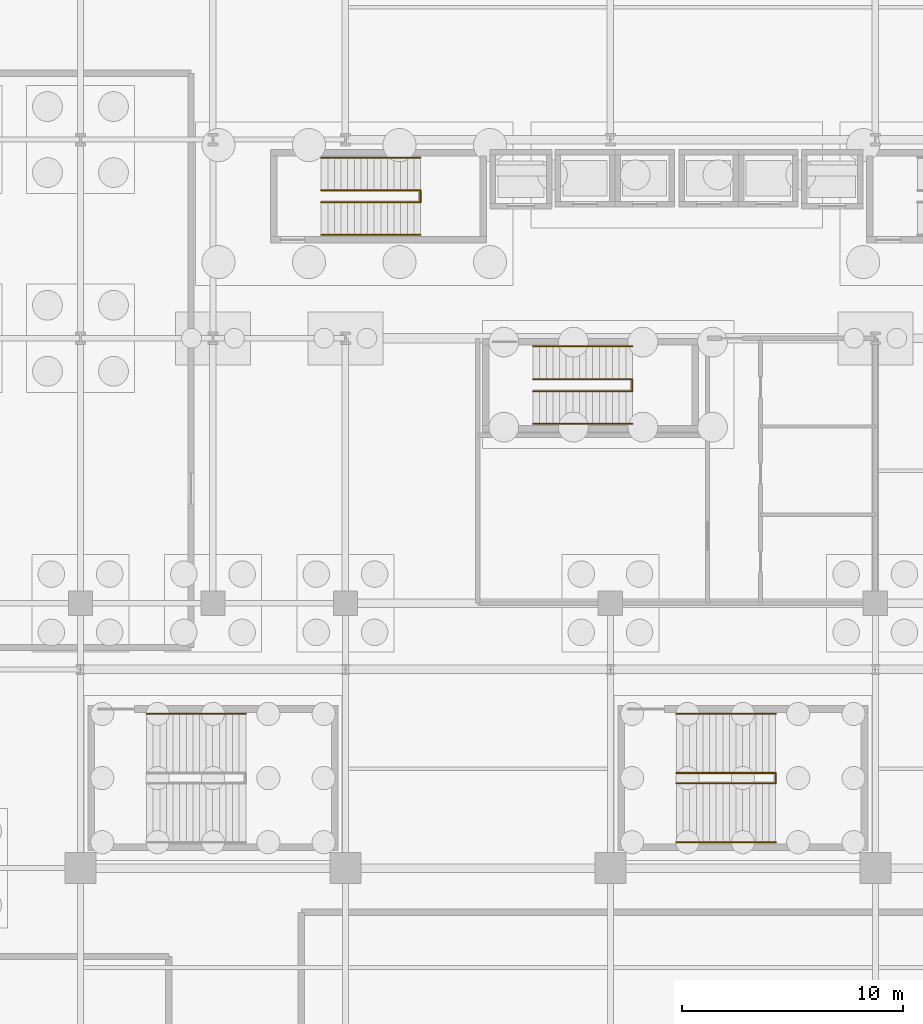
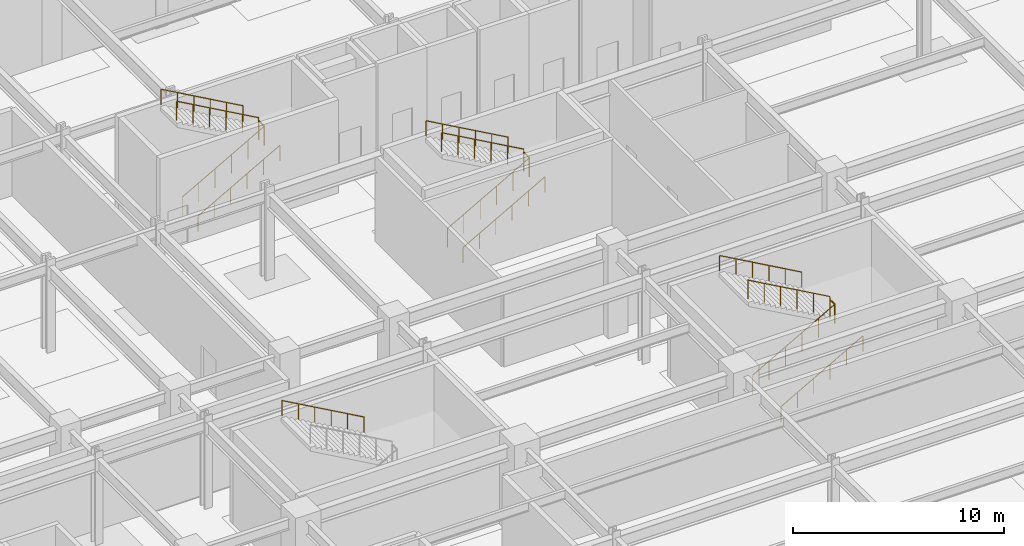
# One storey, part 42 of 47: 16 railings.
"""IFC4 building model written with IfcOpenShell, lengths in metres."""

from ifc_helpers import new_model, si_unit, direction, frame, origin, origin_2d, place, context, subcontext, project, spatial, circle, extrude, material, type_object, element, save


model = new_model("IFC4")

# Units and contexts
model_context = context("Model", 3, precision=1e-05, world=origin(), true_north=direction((0.0, 1.0)))
body_context = subcontext(model_context, "Body", "Model", "MODEL_VIEW")
ifc_project = project(units=[si_unit("LENGTHUNIT", "METRE"), si_unit("AREAUNIT", "SQUARE_METRE"), si_unit("VOLUMEUNIT", "CUBIC_METRE"), si_unit("PLANEANGLEUNIT", "RADIAN"), si_unit("MASSUNIT", "GRAM", prefix="KILO")], contexts=[model_context])

# Site, building, storey
site_placement = place(None, origin())
site = spatial("IfcSite", under=ifc_project, at=site_placement, CompositionType="ELEMENT")
building_placement = place(site_placement, origin())
building = spatial("IfcBuilding", under=site, at=building_placement, Name="Kaldorvane Square Convention Centre", CompositionType="ELEMENT")
storey_placement = place(building_placement, frame((0.0, 0.0, -5.399993896484375)))
storey = spatial("IfcBuildingStorey", under=building, at=storey_placement, Name="B01", CompositionType="ELEMENT", Elevation=-5.399993896484375)

# Railings
ifc_material = material(Name="Architectural Painted Steel", Category="steel")
railing_type_1 = type_object("IfcRailingType", Name="RL-GUARD-1120", PredefinedType="BALUSTRADE", material=ifc_material)
railing_1_placement = place(storey_placement, frame((45.399993896484375, 102.16999816894531, 2.6999969482421875)))
element("IfcRailing", 1, at=railing_1_placement, inside=storey, type_object=railing_type_1, Name="Tower Exit Stair T1 Half-Landing Guard (B01)", PredefinedType="BALUSTRADE", context=body_context, shape_type="SweptSolid", body=[
    extrude(circle(Radius=0.0240020751953125, at=origin_2d()), frame((0.0, 0.0, 1.0959930419921875), z_axis=(0.0, 1.0, 0.0), x_axis=(-1.0, 0.0, 0.0)), (0.0, 0.0, 1.0), 0.5200042724609375),
    extrude(circle(Radius=0.02099609375, at=origin_2d()), origin(), (0.0, 0.0, 1.0), 1.071990966796875),
    extrude(circle(Radius=0.02099609375, at=origin_2d()), frame((0.0, 0.5200042724609375, 0.0)), (0.0, 0.0, 1.0), 1.071990966796875),
])
railing_2_placement = place(storey_placement, frame((40.899993896484375, 102.16000366210938, 0.1687469482421875)))
element("IfcRailing", 2, at=railing_2_placement, inside=storey, type_object=railing_type_1, Name="Tower Exit Stair T1 Flight 1 Guard (B01)", PredefinedType="BALUSTRADE", context=body_context, shape_type="SweptSolid", body=[
    extrude(circle(Radius=0.0240020751953125, at=origin_2d()), frame((0.0, 0.0, 1.0959930419921875), z_axis=(0.871575537125, 0.0, 0.490261239633), x_axis=(0.0, 1.0, 0.0)), (0.0, 0.0, 1.0), 5.1630706787109375),
    extrude(circle(Radius=0.02099609375, at=origin_2d()), origin(), (0.0, 0.0, 1.0), 1.071990966796875),
    extrude(circle(Radius=0.02099609375, at=origin_2d()), frame((0.899993896484375, 0.0, 0.506256103515625)), (0.0, 0.0, 1.0), 1.071990966796875),
    extrude(circle(Radius=0.02099609375, at=origin_2d()), frame((1.8000030517578125, 0.0, 1.0124969482421875)), (0.0, 0.0, 1.0), 1.071990966796875),
    extrude(circle(Radius=0.02099609375, at=origin_2d()), frame((2.6999969482421875, 0.0, 1.5187530517578125)), (0.0, 0.0, 1.0), 1.071990966796875),
    extrude(circle(Radius=0.02099609375, at=origin_2d()), frame((3.600006103515625, 0.0, 2.024993896484375)), (0.0, 0.0, 1.0), 1.071990966796875),
    extrude(circle(Radius=0.02099609375, at=origin_2d()), frame((4.5, 0.0, 2.53125)), (0.0, 0.0, 1.0), 1.071990966796875),
])
railing_3_placement = place(storey_placement, frame((45.399993896484375, 102.69999694824219, 2.868743896484375)))
element("IfcRailing", 3, at=railing_3_placement, inside=storey, type_object=railing_type_1, Name="Tower Exit Stair T1 Flight 2 Guard (B01)", PredefinedType="BALUSTRADE", context=body_context, shape_type="SweptSolid", body=[
    extrude(circle(Radius=0.0240020751953125, at=origin_2d()), frame((0.0, 0.0, 1.0959930419921875), z_axis=(-0.871575537125, 0.0, 0.490261239633), x_axis=(0.0, -1.0, 0.0)), (0.0, 0.0, 1.0), 5.1630706787109375),
    extrude(circle(Radius=0.02099609375, at=origin_2d()), origin(), (0.0, 0.0, 1.0), 1.071990966796875),
    extrude(circle(Radius=0.02099609375, at=origin_2d()), frame((-0.899993896484375, 0.0, 0.506256103515625)), (0.0, 0.0, 1.0), 1.071990966796875),
    extrude(circle(Radius=0.02099609375, at=origin_2d()), frame((-1.8000030517578125, 0.0, 1.0124969482421875)), (0.0, 0.0, 1.0), 1.071990966796875),
    extrude(circle(Radius=0.02099609375, at=origin_2d()), frame((-2.6999969482421875, 0.0, 1.5187530517578125)), (0.0, 0.0, 1.0), 1.071990966796875),
    extrude(circle(Radius=0.02099609375, at=origin_2d()), frame((-3.600006103515625, 0.0, 2.024993896484375)), (0.0, 0.0, 1.0), 1.071990966796875),
    extrude(circle(Radius=0.02099609375, at=origin_2d()), frame((-4.5, 0.0, 2.53125)), (0.0, 0.0, 1.0), 1.071990966796875),
])
railing_4_placement = place(storey_placement, frame((55.0, 93.6199951171875, 2.6999969482421875)))
element("IfcRailing", 4, at=railing_4_placement, inside=storey, type_object=railing_type_1, Name="Tower Exit Stair T3 Half-Landing Guard (B01)", PredefinedType="BALUSTRADE", context=body_context, shape_type="SweptSolid", body=[
    extrude(circle(Radius=0.0240020751953125, at=origin_2d()), frame((0.0, 0.0, 1.0959930419921875), z_axis=(0.0, 1.0, 0.0), x_axis=(-1.0, 0.0, 0.0)), (0.0, 0.0, 1.0), 0.5200042724609375),
    extrude(circle(Radius=0.02099609375, at=origin_2d()), origin(), (0.0, 0.0, 1.0), 1.071990966796875),
    extrude(circle(Radius=0.02099609375, at=origin_2d()), frame((0.0, 0.5200042724609375, 0.0)), (0.0, 0.0, 1.0), 1.071990966796875),
])
railing_5_placement = place(storey_placement, frame((50.5, 93.61000061035156, 0.1687469482421875)))
element("IfcRailing", 5, at=railing_5_placement, inside=storey, type_object=railing_type_1, Name="Tower Exit Stair T3 Flight 1 Guard (B01)", PredefinedType="BALUSTRADE", context=body_context, shape_type="SweptSolid", body=[
    extrude(circle(Radius=0.0240020751953125, at=origin_2d()), frame((0.0, 0.0, 1.0959930419921875), z_axis=(0.871575537125, 0.0, 0.490261239633), x_axis=(0.0, 1.0, 0.0)), (0.0, 0.0, 1.0), 5.1630706787109375),
    extrude(circle(Radius=0.02099609375, at=origin_2d()), origin(), (0.0, 0.0, 1.0), 1.071990966796875),
    extrude(circle(Radius=0.02099609375, at=origin_2d()), frame((0.899993896484375, 0.0, 0.506256103515625)), (0.0, 0.0, 1.0), 1.071990966796875),
    extrude(circle(Radius=0.02099609375, at=origin_2d()), frame((1.8000030517578125, 0.0, 1.0124969482421875)), (0.0, 0.0, 1.0), 1.071990966796875),
    extrude(circle(Radius=0.02099609375, at=origin_2d()), frame((2.6999969482421875, 0.0, 1.5187530517578125)), (0.0, 0.0, 1.0), 1.071990966796875),
    extrude(circle(Radius=0.02099609375, at=origin_2d()), frame((3.600006103515625, 0.0, 2.024993896484375)), (0.0, 0.0, 1.0), 1.071990966796875),
    extrude(circle(Radius=0.02099609375, at=origin_2d()), frame((4.5, 0.0, 2.53125)), (0.0, 0.0, 1.0), 1.071990966796875),
])
railing_6_placement = place(storey_placement, frame((55.0, 94.14999389648438, 2.868743896484375)))
element("IfcRailing", 6, at=railing_6_placement, inside=storey, type_object=railing_type_1, Name="Tower Exit Stair T3 Flight 2 Guard (B01)", PredefinedType="BALUSTRADE", context=body_context, shape_type="SweptSolid", body=[
    extrude(circle(Radius=0.0240020751953125, at=origin_2d()), frame((0.0, 0.0, 1.0959930419921875), z_axis=(-0.871575537125, 0.0, 0.490261239633), x_axis=(0.0, -1.0, 0.0)), (0.0, 0.0, 1.0), 5.1630706787109375),
    extrude(circle(Radius=0.02099609375, at=origin_2d()), origin(), (0.0, 0.0, 1.0), 1.071990966796875),
    extrude(circle(Radius=0.02099609375, at=origin_2d()), frame((-0.899993896484375, 0.0, 0.506256103515625)), (0.0, 0.0, 1.0), 1.071990966796875),
    extrude(circle(Radius=0.02099609375, at=origin_2d()), frame((-1.8000030517578125, 0.0, 1.0124969482421875)), (0.0, 0.0, 1.0), 1.071990966796875),
    extrude(circle(Radius=0.02099609375, at=origin_2d()), frame((-2.6999969482421875, 0.0, 1.5187530517578125)), (0.0, 0.0, 1.0), 1.071990966796875),
    extrude(circle(Radius=0.02099609375, at=origin_2d()), frame((-3.600006103515625, 0.0, 2.024993896484375)), (0.0, 0.0, 1.0), 1.071990966796875),
    extrude(circle(Radius=0.02099609375, at=origin_2d()), frame((-4.5, 0.0, 2.53125)), (0.0, 0.0, 1.0), 1.071990966796875),
])
railing_7_placement = place(storey_placement, frame((61.49000549316406, 75.86000061035156, 2.6999969482421875)))
element("IfcRailing", 7, at=railing_7_placement, inside=storey, type_object=railing_type_1, Name="Convention Exit Stair C14 Half-Landing Guard (B01)", PredefinedType="BALUSTRADE", context=body_context, shape_type="SweptSolid", body=[
    extrude(circle(Radius=0.0240020751953125, at=origin_2d()), frame((0.0, 0.0, 1.0959930419921875), z_axis=(0.0, 1.0, 0.0), x_axis=(-1.0, 0.0, 0.0)), (0.0, 0.0, 1.0), 0.44000244140625),
    extrude(circle(Radius=0.02099609375, at=origin_2d()), origin(), (0.0, 0.0, 1.0), 1.071990966796875),
    extrude(circle(Radius=0.02099609375, at=origin_2d()), frame((0.0, 0.44000244140625, 0.0)), (0.0, 0.0, 1.0), 1.071990966796875),
])
railing_8_placement = place(storey_placement, frame((56.99000549316406, 75.85000610351562, 0.1687469482421875)))
element("IfcRailing", 8, at=railing_8_placement, inside=storey, type_object=railing_type_1, Name="Convention Exit Stair C14 Flight 1 Guard (B01)", PredefinedType="BALUSTRADE", context=body_context, shape_type="SweptSolid", body=[
    extrude(circle(Radius=0.0240020751953125, at=origin_2d()), frame((0.0, 0.0, 1.0959930419921875), z_axis=(0.871575537125, 0.0, 0.490261239633), x_axis=(0.0, 1.0, 0.0)), (0.0, 0.0, 1.0), 5.1630706787109375),
    extrude(circle(Radius=0.02099609375, at=origin_2d()), origin(), (0.0, 0.0, 1.0), 1.071990966796875),
    extrude(circle(Radius=0.02099609375, at=origin_2d()), frame((0.899993896484375, 0.0, 0.506256103515625)), (0.0, 0.0, 1.0), 1.071990966796875),
    extrude(circle(Radius=0.02099609375, at=origin_2d()), frame((1.8000030517578125, 0.0, 1.0124969482421875)), (0.0, 0.0, 1.0), 1.071990966796875),
    extrude(circle(Radius=0.02099609375, at=origin_2d()), frame((2.6999969482421875, 0.0, 1.5187530517578125)), (0.0, 0.0, 1.0), 1.071990966796875),
    extrude(circle(Radius=0.02099609375, at=origin_2d()), frame((3.600006103515625, 0.0, 2.024993896484375)), (0.0, 0.0, 1.0), 1.071990966796875),
    extrude(circle(Radius=0.02099609375, at=origin_2d()), frame((4.5, 0.0, 2.53125)), (0.0, 0.0, 1.0), 1.071990966796875),
])
railing_9_placement = place(storey_placement, frame((61.49000549316406, 76.30999755859375, 2.868743896484375)))
element("IfcRailing", 9, at=railing_9_placement, inside=storey, type_object=railing_type_1, Name="Convention Exit Stair C14 Flight 2 Guard (B01)", PredefinedType="BALUSTRADE", context=body_context, shape_type="SweptSolid", body=[
    extrude(circle(Radius=0.0240020751953125, at=origin_2d()), frame((0.0, 0.0, 1.0959930419921875), z_axis=(-0.871575537125, 0.0, 0.490261239633), x_axis=(0.0, -1.0, 0.0)), (0.0, 0.0, 1.0), 5.1630706787109375),
    extrude(circle(Radius=0.02099609375, at=origin_2d()), origin(), (0.0, 0.0, 1.0), 1.071990966796875),
    extrude(circle(Radius=0.02099609375, at=origin_2d()), frame((-0.899993896484375, 0.0, 0.506256103515625)), (0.0, 0.0, 1.0), 1.071990966796875),
    extrude(circle(Radius=0.02099609375, at=origin_2d()), frame((-1.8000030517578125, 0.0, 1.0124969482421875)), (0.0, 0.0, 1.0), 1.071990966796875),
    extrude(circle(Radius=0.02099609375, at=origin_2d()), frame((-2.6999969482421875, 0.0, 1.5187530517578125)), (0.0, 0.0, 1.0), 1.071990966796875),
    extrude(circle(Radius=0.02099609375, at=origin_2d()), frame((-3.600006103515625, 0.0, 2.024993896484375)), (0.0, 0.0, 1.0), 1.071990966796875),
    extrude(circle(Radius=0.02099609375, at=origin_2d()), frame((-4.5, 0.0, 2.53125)), (0.0, 0.0, 1.0), 1.071990966796875),
])
railing_type_2 = type_object("IfcRailingType", Name="RL-HAND-915", PredefinedType="HANDRAIL", material=ifc_material)
railing_10_placement = place(storey_placement, frame((40.899993896484375, 100.67999267578125, 0.1687469482421875)))
element("IfcRailing", 10, at=railing_10_placement, inside=storey, type_object=railing_type_2, Name="Tower Exit Stair T1 Wall Handrail 1 (B01)", PredefinedType="HANDRAIL", context=body_context, shape_type="SweptSolid", body=[
    extrude(circle(Radius=0.0240020751953125, at=origin_2d()), frame((0.0, 0.0, 0.8909912109375), z_axis=(0.871575537125, 0.0, 0.490261239633), x_axis=(0.0, 1.0, 0.0)), (0.0, 0.0, 1.0), 5.1630706787109375),
    extrude(circle(Radius=0.02099609375, at=origin_2d()), origin(), (0.0, 0.0, 1.0), 0.8669891357421875),
    extrude(circle(Radius=0.02099609375, at=origin_2d()), frame((0.899993896484375, 0.0, 0.506256103515625)), (0.0, 0.0, 1.0), 0.8669891357421875),
    extrude(circle(Radius=0.02099609375, at=origin_2d()), frame((1.8000030517578125, 0.0, 1.0124969482421875)), (0.0, 0.0, 1.0), 0.8669891357421875),
    extrude(circle(Radius=0.02099609375, at=origin_2d()), frame((2.6999969482421875, 0.0, 1.5187530517578125)), (0.0, 0.0, 1.0), 0.8669891357421875),
    extrude(circle(Radius=0.02099609375, at=origin_2d()), frame((3.600006103515625, 0.0, 2.024993896484375)), (0.0, 0.0, 1.0), 0.8669891357421875),
    extrude(circle(Radius=0.02099609375, at=origin_2d()), frame((4.5, 0.0, 2.53125)), (0.0, 0.0, 1.0), 0.8669891357421875),
])
railing_11_placement = place(storey_placement, frame((45.399993896484375, 104.17999267578125, 2.868743896484375)))
element("IfcRailing", 11, at=railing_11_placement, inside=storey, type_object=railing_type_2, Name="Tower Exit Stair T1 Wall Handrail 2 (B01)", PredefinedType="HANDRAIL", context=body_context, shape_type="SweptSolid", body=[
    extrude(circle(Radius=0.0240020751953125, at=origin_2d()), frame((0.0, 0.0, 0.8909912109375), z_axis=(-0.871575537125, 0.0, 0.490261239633), x_axis=(0.0, -1.0, 0.0)), (0.0, 0.0, 1.0), 5.1630706787109375),
    extrude(circle(Radius=0.02099609375, at=origin_2d()), origin(), (0.0, 0.0, 1.0), 0.8669891357421875),
    extrude(circle(Radius=0.02099609375, at=origin_2d()), frame((-0.899993896484375, 0.0, 0.506256103515625)), (0.0, 0.0, 1.0), 0.8669891357421875),
    extrude(circle(Radius=0.02099609375, at=origin_2d()), frame((-1.8000030517578125, 0.0, 1.0124969482421875)), (0.0, 0.0, 1.0), 0.8669891357421875),
    extrude(circle(Radius=0.02099609375, at=origin_2d()), frame((-2.6999969482421875, 0.0, 1.5187530517578125)), (0.0, 0.0, 1.0), 0.8669891357421875),
    extrude(circle(Radius=0.02099609375, at=origin_2d()), frame((-3.600006103515625, 0.0, 2.024993896484375)), (0.0, 0.0, 1.0), 0.8669891357421875),
    extrude(circle(Radius=0.02099609375, at=origin_2d()), frame((-4.5, 0.0, 2.53125)), (0.0, 0.0, 1.0), 0.8669891357421875),
])
railing_12_placement = place(storey_placement, frame((50.5, 92.1300048828125, 0.1687469482421875)))
element("IfcRailing", 12, at=railing_12_placement, inside=storey, type_object=railing_type_2, Name="Tower Exit Stair T3 Wall Handrail 1 (B01)", PredefinedType="HANDRAIL", context=body_context, shape_type="SweptSolid", body=[
    extrude(circle(Radius=0.0240020751953125, at=origin_2d()), frame((0.0, 0.0, 0.8909912109375), z_axis=(0.871575537125, 0.0, 0.490261239633), x_axis=(0.0, 1.0, 0.0)), (0.0, 0.0, 1.0), 5.1630706787109375),
    extrude(circle(Radius=0.02099609375, at=origin_2d()), origin(), (0.0, 0.0, 1.0), 0.8669891357421875),
    extrude(circle(Radius=0.02099609375, at=origin_2d()), frame((0.899993896484375, 0.0, 0.506256103515625)), (0.0, 0.0, 1.0), 0.8669891357421875),
    extrude(circle(Radius=0.02099609375, at=origin_2d()), frame((1.8000030517578125, 0.0, 1.0124969482421875)), (0.0, 0.0, 1.0), 0.8669891357421875),
    extrude(circle(Radius=0.02099609375, at=origin_2d()), frame((2.6999969482421875, 0.0, 1.5187530517578125)), (0.0, 0.0, 1.0), 0.8669891357421875),
    extrude(circle(Radius=0.02099609375, at=origin_2d()), frame((3.600006103515625, 0.0, 2.024993896484375)), (0.0, 0.0, 1.0), 0.8669891357421875),
    extrude(circle(Radius=0.02099609375, at=origin_2d()), frame((4.5, 0.0, 2.53125)), (0.0, 0.0, 1.0), 0.8669891357421875),
])
for number, where, name in (
    (13, (55.0, 95.6300048828125, 2.868743896484375), "Tower Exit Stair T3 Wall Handrail 2 (B01)"),
    (14, (37.49000549316406, 78.99000549316406, 2.868743896484375), "Convention Exit Stair C13 Wall Handrail 2 (B01)"),
):
    element("IfcRailing", number, at=place(storey_placement, frame(where)), inside=storey, type_object=railing_type_2, Name=name, PredefinedType="HANDRAIL", context=body_context, shape_type="SweptSolid", body=[
        extrude(circle(Radius=0.0240020751953125, at=origin_2d()), frame((0.0, 0.0, 0.8909912109375), z_axis=(-0.871575537125, 0.0, 0.490261239633), x_axis=(0.0, -1.0, 0.0)), (0.0, 0.0, 1.0), 5.1630706787109375),
        extrude(circle(Radius=0.02099609375, at=origin_2d()), origin(), (0.0, 0.0, 1.0), 0.8669891357421875),
        extrude(circle(Radius=0.02099609375, at=origin_2d()), frame((-0.899993896484375, 0.0, 0.506256103515625)), (0.0, 0.0, 1.0), 0.8669891357421875),
        extrude(circle(Radius=0.02099609375, at=origin_2d()), frame((-1.8000030517578125, 0.0, 1.0124969482421875)), (0.0, 0.0, 1.0), 0.8669891357421875),
        extrude(circle(Radius=0.02099609375, at=origin_2d()), frame((-2.6999969482421875, 0.0, 1.5187530517578125)), (0.0, 0.0, 1.0), 0.8669891357421875),
        extrude(circle(Radius=0.02099609375, at=origin_2d()), frame((-3.600006103515625, 0.0, 2.024993896484375)), (0.0, 0.0, 1.0), 0.8669891357421875),
        extrude(circle(Radius=0.02099609375, at=origin_2d()), frame((-4.5, 0.0, 2.53125)), (0.0, 0.0, 1.0), 0.8669891357421875),
    ])
railing_13_placement = place(storey_placement, frame((56.99000549316406, 73.16999816894531, 0.1687469482421875)))
element("IfcRailing", 15, at=railing_13_placement, inside=storey, type_object=railing_type_2, Name="Convention Exit Stair C14 Wall Handrail 1 (B01)", PredefinedType="HANDRAIL", context=body_context, shape_type="SweptSolid", body=[
    extrude(circle(Radius=0.0240020751953125, at=origin_2d()), frame((0.0, 0.0, 0.8909912109375), z_axis=(0.871575537125, 0.0, 0.490261239633), x_axis=(0.0, 1.0, 0.0)), (0.0, 0.0, 1.0), 5.1630706787109375),
    extrude(circle(Radius=0.02099609375, at=origin_2d()), origin(), (0.0, 0.0, 1.0), 0.8669891357421875),
    extrude(circle(Radius=0.02099609375, at=origin_2d()), frame((0.899993896484375, 0.0, 0.506256103515625)), (0.0, 0.0, 1.0), 0.8669891357421875),
    extrude(circle(Radius=0.02099609375, at=origin_2d()), frame((1.8000030517578125, 0.0, 1.0124969482421875)), (0.0, 0.0, 1.0), 0.8669891357421875),
    extrude(circle(Radius=0.02099609375, at=origin_2d()), frame((2.6999969482421875, 0.0, 1.5187530517578125)), (0.0, 0.0, 1.0), 0.8669891357421875),
    extrude(circle(Radius=0.02099609375, at=origin_2d()), frame((3.600006103515625, 0.0, 2.024993896484375)), (0.0, 0.0, 1.0), 0.8669891357421875),
    extrude(circle(Radius=0.02099609375, at=origin_2d()), frame((4.5, 0.0, 2.53125)), (0.0, 0.0, 1.0), 0.8669891357421875),
])
railing_14_placement = place(storey_placement, frame((61.49000549316406, 78.99000549316406, 2.868743896484375)))
element("IfcRailing", 16, at=railing_14_placement, inside=storey, type_object=railing_type_2, Name="Convention Exit Stair C14 Wall Handrail 2 (B01)", PredefinedType="HANDRAIL", context=body_context, shape_type="SweptSolid", body=[
    extrude(circle(Radius=0.0240020751953125, at=origin_2d()), frame((0.0, 0.0, 0.8909912109375), z_axis=(-0.871575537125, 0.0, 0.490261239633), x_axis=(0.0, -1.0, 0.0)), (0.0, 0.0, 1.0), 5.1630706787109375),
    extrude(circle(Radius=0.02099609375, at=origin_2d()), origin(), (0.0, 0.0, 1.0), 0.8669891357421875),
    extrude(circle(Radius=0.02099609375, at=origin_2d()), frame((-0.899993896484375, 0.0, 0.506256103515625)), (0.0, 0.0, 1.0), 0.8669891357421875),
    extrude(circle(Radius=0.02099609375, at=origin_2d()), frame((-1.8000030517578125, 0.0, 1.0124969482421875)), (0.0, 0.0, 1.0), 0.8669891357421875),
    extrude(circle(Radius=0.02099609375, at=origin_2d()), frame((-2.6999969482421875, 0.0, 1.5187530517578125)), (0.0, 0.0, 1.0), 0.8669891357421875),
    extrude(circle(Radius=0.02099609375, at=origin_2d()), frame((-3.600006103515625, 0.0, 2.024993896484375)), (0.0, 0.0, 1.0), 0.8669891357421875),
    extrude(circle(Radius=0.02099609375, at=origin_2d()), frame((-4.5, 0.0, 2.53125)), (0.0, 0.0, 1.0), 0.8669891357421875),
])

save(model, "model.ifc")
